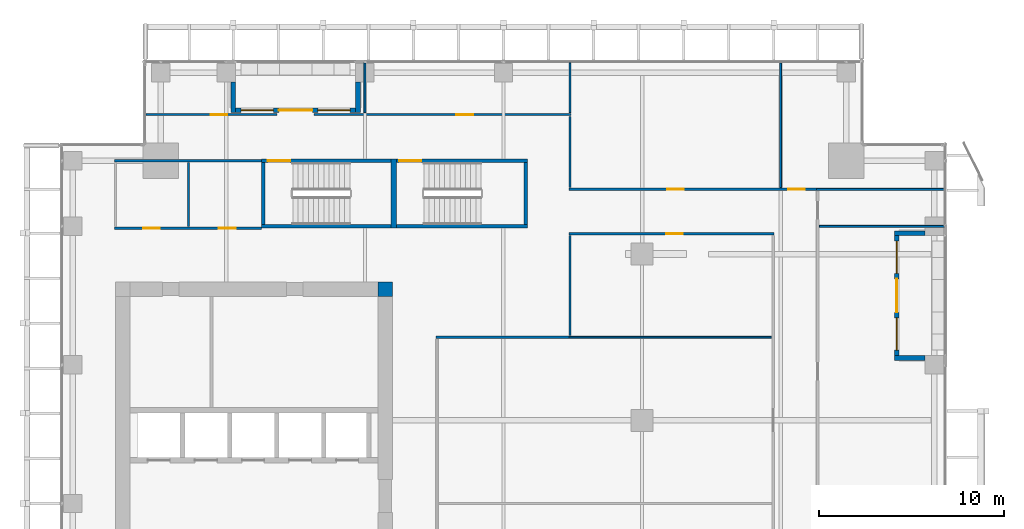
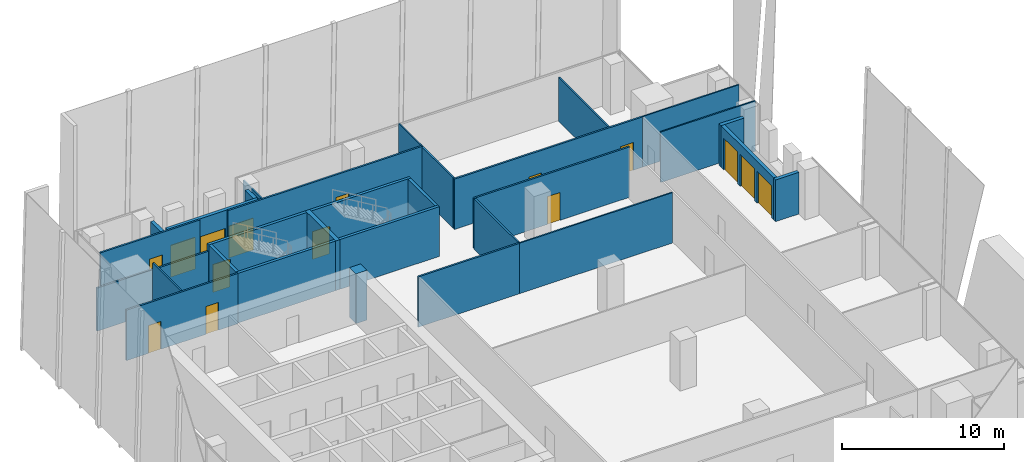
# One storey, part 30 of 35: 30 walls, 11 doors, 4 windows, 15 openings.
"""IFC4 building model written with IfcOpenShell, lengths in metres."""

from ifc_helpers import new_model, si_unit, direction, frame, frame_2d, origin, place, context, subcontext, project, spatial, rectangle, extrude, source, transform, mapped, material, layer, layer_set, type_object, element, fill, save


model = new_model("IFC4")

# Units and contexts
model_context = context("Model", 3, precision=1e-05, world=origin(), true_north=direction((0.0, 1.0)))
body_context = subcontext(model_context, "Body", "Model", "MODEL_VIEW")
ifc_project = project(units=[si_unit("LENGTHUNIT", "METRE"), si_unit("AREAUNIT", "SQUARE_METRE"), si_unit("VOLUMEUNIT", "CUBIC_METRE"), si_unit("PLANEANGLEUNIT", "RADIAN"), si_unit("MASSUNIT", "GRAM", prefix="KILO")], contexts=[model_context])

# Site, building, storey
site_placement = place(None, origin())
site = spatial("IfcSite", under=ifc_project, at=site_placement, CompositionType="ELEMENT")
building_placement = place(site_placement, origin())
building = spatial("IfcBuilding", under=site, at=building_placement, Name="Khomas Fold Tower", CompositionType="ELEMENT")
storey_placement = place(building_placement, frame((0.0, 0.0, 188.699951171875)))
storey = spatial("IfcBuildingStorey", under=building, at=storey_placement, Name="L41", CompositionType="ELEMENT", Elevation=188.699951171875)

# Wall
ifc_material_1 = material(Name="Concrete C60/75", Category="concrete")
ifc_layer_1 = layer(ifc_material_1, 0.800048828125)
ifc_layer_set_1 = layer_set([ifc_layer_1], Name="Concrete C60/75")
wall_type_1 = type_object("IfcWallType", Name="Core corner wall 800", PredefinedType="SHEAR", material=ifc_layer_set_1)
shared_shape_1 = source(origin(), body_context, "Body", "SweptSolid", [
    extrude(rectangle(XDim=0.800048828125, YDim=0.800048828125, at=frame_2d((0.39990234375, 0.0))), origin(), (0.0, 0.0, 1.0), 3.75),
])
wall_1_placement = place(storey_placement, frame((20.199951171875, 38.60009765625, 0.0), z_axis=(0.0, 0.0, 1.0), x_axis=(1.0, 0.0, 0.0)))
element("IfcWall", 1, at=wall_1_placement, inside=storey, type_object=wall_type_1, Name="Core wall CW-U-NE-L35", PredefinedType="SHEAR", context=body_context, shape_type="MappedRepresentation", body=[
    mapped(shared_shape_1, transform((0.0, 0.0, 0.0))),
])

# Wall, opening, door
ifc_material_2 = material(Name="Concrete C50/60", Category="concrete")
ifc_layer_2 = layer(ifc_material_2, 0.199951171875)
ifc_layer_set_2 = layer_set([ifc_layer_2], Name="Concrete C50/60")
wall_type_2 = type_object("IfcWallType", Name="Stair wall 200", PredefinedType="SHEAR", material=ifc_layer_set_2)
shared_shape_2 = source(origin(), body_context, "Body", "SweptSolid", [
    extrude(rectangle(XDim=7.0, YDim=0.199951171875, at=frame_2d((3.5, 0.0))), origin(), (0.0, 0.0, 1.0), 3.75),
])
wall_2_placement = place(storey_placement, frame((13.89990234375, 45.550048828125, 0.0), z_axis=(0.0, 0.0, 1.0), x_axis=(1.0, 0.0, 0.0)))
wall_2 = element("IfcWall", 2, at=wall_2_placement, inside=storey, type_object=wall_type_2, Name="Stair wall SW-ST1-N", PredefinedType="SHEAR", context=body_context, shape_type="MappedRepresentation", body=[
    mapped(shared_shape_2, transform((0.0, 0.0, 0.0))),
])
shared_shape_3 = source(origin(), body_context, "Body", "SweptSolid", [
    extrude(rectangle(XDim=1.199951171875, YDim=2.10009765625, at=frame_2d((0.60009765625, 1.050048828125))), frame((0.0, 0.10986328125, 0.0), z_axis=(0.0, -1.0, 0.0), x_axis=(1.0, 0.0, 0.0)), (0.0, 0.0, 1.0), 0.219970703125),
])
opening_1_placement = place(wall_2_placement, frame((0.35009765625, 0.0, 0.0)))
opening_1 = element("IfcOpeningElement", 3, at=opening_1_placement, cuts=wall_2, Name="Opening SD-ST1", PredefinedType="OPENING", context=body_context, shape_type="MappedRepresentation", body=[
    mapped(shared_shape_3, transform((0.0, 0.0, 0.0))),
])
ifc_material_3 = material(Name="Steel door leaf", Category="steel")
door_type_1 = type_object("IfcDoorType", Name="Stair door 1200x2100 left-hand", OperationType="SINGLE_SWING_LEFT", PredefinedType="DOOR", material=ifc_material_3)
shared_shape_4 = source(origin(), body_context, "Body", "SweptSolid", [
    extrude(rectangle(XDim=1.199951171875, YDim=2.10009765625, at=frame_2d((0.60009765625, 1.050048828125))), frame((0.0, 0.02490234375, 0.0), z_axis=(0.0, -1.0, 0.0), x_axis=(1.0, 0.0, 0.0)), (0.0, 0.0, 1.0), 0.050048828125),
])
door_1_placement = place(opening_1_placement, origin())
door_1 = element("IfcDoor", 4, at=door_1_placement, inside=storey, type_object=door_type_1, Name="Stair door", OperationType="SINGLE_SWING_LEFT", OverallHeight=2.10009765625, OverallWidth=1.199951171875, PredefinedType="DOOR", context=body_context, shape_type="MappedRepresentation", body=[
    mapped(shared_shape_4, transform((0.0, 0.0, 0.0))),
])
fill(opening_1, door_1)

# Wall
wall_3_placement = place(storey_placement, frame((13.89990234375, 42.0, 0.0), z_axis=(0.0, 0.0, 1.0), x_axis=(1.0, 0.0, 0.0)))
element("IfcWall", 5, at=wall_3_placement, inside=storey, type_object=wall_type_2, Name="Stair wall SW-ST1-S", PredefinedType="SHEAR", context=body_context, shape_type="MappedRepresentation", body=[
    mapped(shared_shape_2, transform((0.0, 0.0, 0.0))),
])

# Wall, opening, door
shared_shape_5 = source(origin(), body_context, "Body", "SweptSolid", [
    extrude(rectangle(XDim=7.10009765625, YDim=0.199951171875, at=frame_2d((3.550048828125, 0.0))), origin(), (0.0, 0.0, 1.0), 3.75),
])
wall_4_placement = place(storey_placement, frame((21.199951171875, 45.550048828125, 0.0), z_axis=(0.0, 0.0, 1.0), x_axis=(1.0, 0.0, 0.0)))
wall_4 = element("IfcWall", 6, at=wall_4_placement, inside=storey, type_object=wall_type_2, Name="Stair wall SW-ST3-N", PredefinedType="SHEAR", context=body_context, shape_type="MappedRepresentation", body=[
    mapped(shared_shape_5, transform((0.0, 0.0, 0.0))),
])
opening_2_placement = place(wall_4_placement, frame((0.14990234375, 0.0, 0.0)))
opening_2 = element("IfcOpeningElement", 7, at=opening_2_placement, cuts=wall_4, Name="Opening SD-ST3", PredefinedType="OPENING", context=body_context, shape_type="MappedRepresentation", body=[
    mapped(shared_shape_3, transform((0.0, 0.0, 0.0))),
])
door_2_placement = place(opening_2_placement, origin())
door_2 = element("IfcDoor", 8, at=door_2_placement, inside=storey, type_object=door_type_1, Name="Stair door", OperationType="SINGLE_SWING_LEFT", OverallHeight=2.10009765625, OverallWidth=1.199951171875, PredefinedType="DOOR", context=body_context, shape_type="MappedRepresentation", body=[
    mapped(shared_shape_4, transform((0.0, 0.0, 0.0))),
])
fill(opening_2, door_2)

# Walls
wall_5_placement = place(storey_placement, frame((21.199951171875, 42.0, 0.0), z_axis=(0.0, 0.0, 1.0), x_axis=(1.0, 0.0, 0.0)))
element("IfcWall", 9, at=wall_5_placement, inside=storey, type_object=wall_type_2, Name="Stair wall SW-ST3-S", PredefinedType="SHEAR", context=body_context, shape_type="MappedRepresentation", body=[
    mapped(shared_shape_5, transform((0.0, 0.0, 0.0))),
])
ifc_material_4 = material(Name="Concrete C50/60", Category="concrete")
ifc_layer_3 = layer(ifc_material_4, 0.300048828125)
ifc_layer_set_3 = layer_set([ifc_layer_3], Name="Concrete C50/60")
wall_type_3 = type_object("IfcWallType", Name="Stair wall 300", PredefinedType="SHEAR", material=ifc_layer_set_3)
shared_shape_6 = source(origin(), body_context, "Body", "SweptSolid", [
    extrude(rectangle(XDim=3.75, YDim=0.300048828125, at=frame_2d((1.875, 0.0))), origin(), (0.0, 0.0, 1.0), 3.75),
])
wall_6_placement = place(storey_placement, frame((21.050048828125, 41.89990234375, 0.0), z_axis=(0.0, 0.0, 1.0), x_axis=(0.0, 1.0, 0.0)))
element("IfcWall", 10, at=wall_6_placement, inside=storey, type_object=wall_type_3, Name="Stair wall SW-ST1-E", PredefinedType="SHEAR", context=body_context, shape_type="MappedRepresentation", body=[
    mapped(shared_shape_6, transform((0.0, 0.0, 0.0))),
])
shared_shape_7 = source(origin(), body_context, "Body", "SweptSolid", [
    extrude(rectangle(XDim=3.349853515625, YDim=0.199951171875, at=frame_2d((1.6748046875, 0.0))), origin(), (0.0, 0.0, 1.0), 3.75),
])
for number, where, z_axis, x_axis, name in (
    (11, (14.0, 42.10009765625, 0.0), (0.0, 0.0, 1.0), (0.0, 1.0, 0.0), "Stair wall SW-ST1-W"),
    (12, (28.199951171875, 42.10009765625, 0.0), (0.0, 0.0, 1.0), (0.0, 1.0, 0.0), "Stair wall SW-ST3-E"),
):
    element("IfcWall", number, at=place(storey_placement, frame(where, z_axis=z_axis, x_axis=x_axis)), inside=storey, type_object=wall_type_2, Name=name, PredefinedType="SHEAR", context=body_context, shape_type="MappedRepresentation", body=[
        mapped(shared_shape_7, transform((0.0, 0.0, 0.0))),
    ])

# Wall, openings, door, windows
ifc_material_5 = material(Name="Natural stone", Category="masonry")
ifc_layer_4 = layer(ifc_material_5, 0.0400390625)
ifc_material_6 = material(Name="Mineral wool insulation", Category="insulation")
ifc_layer_5 = layer(ifc_material_6, 0.10009765625)
ifc_material_7 = material(Name="Masonry", Category="masonry")
ifc_layer_6 = layer(ifc_material_7, 0.110107421875)
ifc_layer_set_4 = layer_set([ifc_layer_4, ifc_layer_5, ifc_layer_6], Name="Stone-faced insulated masonry")
wall_type_4 = type_object("IfcWallType", Name="BL-Balcony wall", PredefinedType="SOLIDWALL", material=ifc_layer_set_4)
shared_shape_8 = source(origin(), body_context, "Body", "SweptSolid", [
    extrude(rectangle(XDim=6.5, YDim=0.25, at=frame_2d((3.25, 0.0))), origin(), (0.0, 0.0, 1.0), 3.75),
])
wall_7_placement = place(storey_placement, frame((12.5, 48.27490234375, 0.0), z_axis=(0.0, 0.0, 1.0), x_axis=(1.0, 0.0, 0.0)))
wall_7 = element("IfcWall", 13, at=wall_7_placement, inside=storey, type_object=wall_type_4, Name="Balcony wall BAL-L41-N1", PredefinedType="SOLIDWALL", context=body_context, shape_type="MappedRepresentation", body=[
    mapped(shared_shape_8, transform((0.0, 0.0, 0.0))),
])
shared_shape_9 = source(origin(), body_context, "Body", "SweptSolid", [
    extrude(rectangle(XDim=1.75, YDim=2.39990234375, at=frame_2d((0.875, 1.199951171875))), frame((0.0, 0.135009765625, 0.0), z_axis=(0.0, -1.0, 0.0), x_axis=(1.0, 0.0, 0.0)), (0.0, 0.0, 1.0), 0.27001953125),
])
opening_3_placement = place(wall_7_placement, frame((0.300048828125, 0.0, 0.0)))
opening_3 = element("IfcOpeningElement", 14, at=opening_3_placement, cuts=wall_7, Name="Opening BL-W3", PredefinedType="OPENING", context=body_context, shape_type="MappedRepresentation", body=[
    mapped(shared_shape_9, transform((0.0, 0.0, 0.0))),
])
opening_4_placement = place(wall_7_placement, frame((4.449951171875, 0.0, 0.0)))
opening_4 = element("IfcOpeningElement", 15, at=opening_4_placement, cuts=wall_7, Name="Opening BL-W3", PredefinedType="OPENING", context=body_context, shape_type="MappedRepresentation", body=[
    mapped(shared_shape_9, transform((0.0, 0.0, 0.0))),
])
shared_shape_10 = source(origin(), body_context, "Body", "SweptSolid", [
    extrude(rectangle(XDim=1.800048828125, YDim=2.39990234375, at=frame_2d((0.89990234375, 1.199951171875))), frame((0.0, 0.135009765625, 0.0), z_axis=(0.0, -1.0, 0.0), x_axis=(1.0, 0.0, 0.0)), (0.0, 0.0, 1.0), 0.27001953125),
])
opening_5_placement = place(wall_7_placement, frame((2.35009765625, 0.0, 0.0)))
opening_5 = element("IfcOpeningElement", 16, at=opening_5_placement, cuts=wall_7, Name="Opening BD412", PredefinedType="OPENING", context=body_context, shape_type="MappedRepresentation", body=[
    mapped(shared_shape_10, transform((0.0, 0.0, 0.0))),
])
ifc_material_8 = material(Name="Aluminium framed double glazing", Category="aluminium")
door_type_2 = type_object("IfcDoorType", Name="BL-Glazed balcony door 1800 x 2400", OperationType="DOUBLE_DOOR_DOUBLE_SWING", PredefinedType="DOOR", material=ifc_material_8)
shared_shape_11 = source(origin(), body_context, "Body", "SweptSolid", [
    extrude(rectangle(XDim=1.800048828125, YDim=2.39990234375, at=frame_2d((0.89990234375, 1.199951171875))), frame((0.0, 0.02490234375, 0.0), z_axis=(0.0, -1.0, 0.0), x_axis=(1.0, 0.0, 0.0)), (0.0, 0.0, 1.0), 0.050048828125),
])
door_3_placement = place(opening_5_placement, origin())
door_3 = element("IfcDoor", 17, at=door_3_placement, inside=storey, type_object=door_type_2, Name="Balcony door BD412", OperationType="DOUBLE_DOOR_DOUBLE_SWING", OverallHeight=2.39990234375, OverallWidth=1.800048828125, PredefinedType="DOOR", context=body_context, shape_type="MappedRepresentation", body=[
    mapped(shared_shape_11, transform((0.0, 0.0, 0.0))),
])
fill(opening_5, door_3)
ifc_material_9 = material(Name="Aluminium framed double glazing", Category="aluminium")
window_type = type_object("IfcWindowType", Name="BL-Fixed glazing 1750 x 2400", PartitioningType="SINGLE_PANEL", PredefinedType="WINDOW", material=ifc_material_9)
shared_shape_12 = source(origin(), body_context, "Body", "SweptSolid", [
    extrude(rectangle(XDim=1.75, YDim=2.39990234375, at=frame_2d((0.875, 1.199951171875))), frame((0.0, 0.030029296875, 0.0), z_axis=(0.0, -1.0, 0.0), x_axis=(1.0, 0.0, 0.0)), (0.0, 0.0, 1.0), 0.06005859375),
])
window_1_placement = place(opening_3_placement, origin())
window_1 = element("IfcWindow", 18, at=window_1_placement, inside=storey, type_object=window_type, Name="Balcony glazing BAL-L41-N1-1", OverallHeight=2.39990234375, OverallWidth=1.75, PartitioningType="SINGLE_PANEL", PredefinedType="WINDOW", context=body_context, shape_type="MappedRepresentation", body=[
    mapped(shared_shape_12, transform((0.0, 0.0, 0.0))),
])
fill(opening_3, window_1)
window_2_placement = place(opening_4_placement, origin())
window_2 = element("IfcWindow", 19, at=window_2_placement, inside=storey, type_object=window_type, Name="Balcony glazing BAL-L41-N1-2", OverallHeight=2.39990234375, OverallWidth=1.75, PartitioningType="SINGLE_PANEL", PredefinedType="WINDOW", context=body_context, shape_type="MappedRepresentation", body=[
    mapped(shared_shape_12, transform((0.0, 0.0, 0.0))),
])
fill(opening_4, window_2)

# Walls
shared_shape_13 = source(origin(), body_context, "Body", "SweptSolid", [
    extrude(rectangle(XDim=1.650146484375, YDim=0.25, at=frame_2d((0.8251953125, 0.0))), origin(), (0.0, 0.0, 1.0), 3.449951171875),
])
for number, where, z_axis, x_axis, name in (
    (20, (12.375, 49.800048828125, 0.0), (0.0, 0.0, 1.0), (0.0, -1.0, 0.0), "Balcony return wall BAL-L41-N1-lo"),
    (21, (19.125, 49.800048828125, 0.0), (0.0, 0.0, 1.0), (0.0, -1.0, 0.0), "Balcony return wall BAL-L41-N1-hi"),
):
    element("IfcWall", number, at=place(storey_placement, frame(where, z_axis=z_axis, x_axis=x_axis)), inside=storey, type_object=wall_type_4, Name=name, PredefinedType="SOLIDWALL", context=body_context, shape_type="MappedRepresentation", body=[
        mapped(shared_shape_13, transform((0.0, 0.0, 0.0))),
    ])

# Wall, openings, door, windows
shared_shape_14 = source(origin(), body_context, "Body", "SweptSolid", [
    extrude(rectangle(XDim=6.5, YDim=0.25, at=frame_2d((3.25, 0.0))), origin(), (0.0, 0.0, 1.0), 3.150146484375),
])
wall_8_placement = place(storey_placement, frame((48.27490234375, 35.0, 0.0), z_axis=(0.0, 0.0, 1.0), x_axis=(0.0, 1.0, 0.0)))
wall_8 = element("IfcWall", 22, at=wall_8_placement, inside=storey, type_object=wall_type_4, Name="Balcony wall BAL-L41-E4", PredefinedType="SOLIDWALL", context=body_context, shape_type="MappedRepresentation", body=[
    mapped(shared_shape_14, transform((0.0, 0.0, 0.0))),
])
opening_6_placement = place(wall_8_placement, frame((0.300048828125, 0.0, 0.0)))
opening_6 = element("IfcOpeningElement", 23, at=opening_6_placement, cuts=wall_8, Name="Opening BL-W3", PredefinedType="OPENING", context=body_context, shape_type="MappedRepresentation", body=[
    mapped(shared_shape_9, transform((0.0, 0.0, 0.0))),
])
opening_7_placement = place(wall_8_placement, frame((4.449951171875, 0.0, 0.0)))
opening_7 = element("IfcOpeningElement", 24, at=opening_7_placement, cuts=wall_8, Name="Opening BL-W3", PredefinedType="OPENING", context=body_context, shape_type="MappedRepresentation", body=[
    mapped(shared_shape_9, transform((0.0, 0.0, 0.0))),
])
opening_8_placement = place(wall_8_placement, frame((2.35009765625, 0.0, 0.0)))
opening_8 = element("IfcOpeningElement", 25, at=opening_8_placement, cuts=wall_8, Name="Opening BD411", PredefinedType="OPENING", context=body_context, shape_type="MappedRepresentation", body=[
    mapped(shared_shape_10, transform((0.0, 0.0, 0.0))),
])
door_4_placement = place(opening_8_placement, origin())
door_4 = element("IfcDoor", 26, at=door_4_placement, inside=storey, type_object=door_type_2, Name="Balcony door BD411", OperationType="DOUBLE_DOOR_DOUBLE_SWING", OverallHeight=2.39990234375, OverallWidth=1.800048828125, PredefinedType="DOOR", context=body_context, shape_type="MappedRepresentation", body=[
    mapped(shared_shape_11, transform((0.0, 0.0, 0.0))),
])
fill(opening_8, door_4)
window_3_placement = place(opening_6_placement, origin())
window_3 = element("IfcWindow", 27, at=window_3_placement, inside=storey, type_object=window_type, Name="Balcony glazing BAL-L41-E4-1", OverallHeight=2.39990234375, OverallWidth=1.75, PartitioningType="SINGLE_PANEL", PredefinedType="WINDOW", context=body_context, shape_type="MappedRepresentation", body=[
    mapped(shared_shape_12, transform((0.0, 0.0, 0.0))),
])
fill(opening_6, window_3)
window_4_placement = place(opening_7_placement, origin())
window_4 = element("IfcWindow", 28, at=window_4_placement, inside=storey, type_object=window_type, Name="Balcony glazing BAL-L41-E4-2", OverallHeight=2.39990234375, OverallWidth=1.75, PartitioningType="SINGLE_PANEL", PredefinedType="WINDOW", context=body_context, shape_type="MappedRepresentation", body=[
    mapped(shared_shape_12, transform((0.0, 0.0, 0.0))),
])
fill(opening_7, window_4)

# Walls
shared_shape_15 = source(origin(), body_context, "Body", "SweptSolid", [
    extrude(rectangle(XDim=1.650146484375, YDim=0.25, at=frame_2d((0.8251953125, 0.0))), origin(), (0.0, 0.0, 1.0), 3.150146484375),
])
for number, where, z_axis, x_axis, name in (
    (29, (49.800048828125, 34.875, 0.0), (0.0, 0.0, 1.0), (-1.0, 0.0, 0.0), "Balcony return wall BAL-L41-E4-lo"),
    (30, (49.800048828125, 41.625, 0.0), (0.0, 0.0, 1.0), (-1.0, 0.0, 0.0), "Balcony return wall BAL-L41-E4-hi"),
):
    element("IfcWall", number, at=place(storey_placement, frame(where, z_axis=z_axis, x_axis=x_axis)), inside=storey, type_object=wall_type_4, Name=name, PredefinedType="SOLIDWALL", context=body_context, shape_type="MappedRepresentation", body=[
        mapped(shared_shape_15, transform((0.0, 0.0, 0.0))),
    ])
ifc_material_10 = material(Name="Plasterboard partition")
ifc_layer_7 = layer(ifc_material_10, 0.125)
ifc_layer_set_5 = layer_set([ifc_layer_7], Name="Plasterboard partition")
wall_type_5 = type_object("IfcWallType", Name="Partition PW2 125", PredefinedType="PARTITIONING", material=ifc_layer_set_5)
shared_shape_16 = source(origin(), body_context, "Body", "SweptSolid", [
    extrude(rectangle(XDim=7.949951171875, YDim=0.125, at=frame_2d((3.97509765625, 0.0))), origin(), (0.0, 0.0, 1.0), 3.25),
])
wall_9_placement = place(storey_placement, frame((5.949951171875, 45.550048828125, 0.0), z_axis=(0.0, 0.0, 1.0), x_axis=(1.0, 0.0, 0.0)))
element("IfcWall", 31, at=wall_9_placement, inside=storey, type_object=wall_type_5, Name="Partition", PredefinedType="PARTITIONING", context=body_context, shape_type="MappedRepresentation", body=[
    mapped(shared_shape_16, transform((0.0, 0.0, 0.0))),
])

# Wall, openings, doors
shared_shape_17 = source(origin(), body_context, "Body", "SweptSolid", [
    extrude(rectangle(XDim=7.949951171875, YDim=0.125, at=frame_2d((3.97509765625, 0.0))), origin(), (0.0, 0.0, 1.0), 3.800048828125),
])
wall_10_placement = place(storey_placement, frame((5.949951171875, 41.89990234375, 0.0), z_axis=(0.0, 0.0, 1.0), x_axis=(1.0, 0.0, 0.0)))
wall_10 = element("IfcWall", 32, at=wall_10_placement, inside=storey, type_object=wall_type_5, Name="Partition", PredefinedType="PARTITIONING", context=body_context, shape_type="MappedRepresentation", body=[
    mapped(shared_shape_17, transform((0.0, 0.0, 0.0))),
])
shared_shape_18 = source(origin(), body_context, "Body", "SweptSolid", [
    extrude(rectangle(XDim=0.89990234375, YDim=2.10009765625, at=frame_2d((0.449951171875, 1.050048828125))), frame((0.0, 0.072509765625, 0.0), z_axis=(0.0, -1.0, 0.0), x_axis=(1.0, 0.0, 0.0)), (0.0, 0.0, 1.0), 0.14501953125),
])
opening_9_placement = place(wall_10_placement, frame((1.550048828125, 0.0, 0.0)))
opening_9 = element("IfcOpeningElement", 33, at=opening_9_placement, cuts=wall_10, Name="Opening 0004", PredefinedType="OPENING", context=body_context, shape_type="MappedRepresentation", body=[
    mapped(shared_shape_18, transform((0.0, 0.0, 0.0))),
])
opening_10_placement = place(wall_10_placement, frame((5.64990234375, 0.0, 0.0)))
opening_10 = element("IfcOpeningElement", 34, at=opening_10_placement, cuts=wall_10, Name="Opening 0005", PredefinedType="OPENING", context=body_context, shape_type="MappedRepresentation", body=[
    mapped(shared_shape_18, transform((0.0, 0.0, 0.0))),
])
ifc_material_11 = material(Name="Timber door leaf", Category="wood")
door_type_3 = type_object("IfcDoorType", Name="WC door 900x2100 right-hand", OperationType="SINGLE_SWING_RIGHT", PredefinedType="DOOR", material=ifc_material_11)
shared_shape_19 = source(origin(), body_context, "Body", "SweptSolid", [
    extrude(rectangle(XDim=0.89990234375, YDim=2.10009765625, at=frame_2d((0.449951171875, 1.050048828125))), frame((0.0, 0.02490234375, 0.0), z_axis=(0.0, -1.0, 0.0), x_axis=(1.0, 0.0, 0.0)), (0.0, 0.0, 1.0), 0.050048828125),
])
door_5_placement = place(opening_9_placement, origin())
door_5 = element("IfcDoor", 35, at=door_5_placement, inside=storey, type_object=door_type_3, Name="WC door", OperationType="SINGLE_SWING_RIGHT", OverallHeight=2.10009765625, OverallWidth=0.89990234375, PredefinedType="DOOR", context=body_context, shape_type="MappedRepresentation", body=[
    mapped(shared_shape_19, transform((0.0, 0.0, 0.0))),
])
fill(opening_9, door_5)
ifc_material_12 = material(Name="Timber door leaf", Category="wood")
door_type_4 = type_object("IfcDoorType", Name="WC door 900x2100 left-hand", OperationType="SINGLE_SWING_LEFT", PredefinedType="DOOR", material=ifc_material_12)
door_6_placement = place(opening_10_placement, origin())
door_6 = element("IfcDoor", 36, at=door_6_placement, inside=storey, type_object=door_type_4, Name="WC door", OperationType="SINGLE_SWING_LEFT", OverallHeight=2.10009765625, OverallWidth=0.89990234375, PredefinedType="DOOR", context=body_context, shape_type="MappedRepresentation", body=[
    mapped(shared_shape_19, transform((0.0, 0.0, 0.0))),
])
fill(opening_10, door_6)

# Walls
ifc_material_13 = material(Name="Plasterboard partition")
ifc_layer_8 = layer(ifc_material_13, 0.10009765625)
ifc_layer_set_6 = layer_set([ifc_layer_8], Name="Plasterboard partition")
wall_type_6 = type_object("IfcWallType", Name="Partition PW1 100", PredefinedType="PARTITIONING", material=ifc_layer_set_6)
shared_shape_20 = source(origin(), body_context, "Body", "SweptSolid", [
    extrude(rectangle(XDim=3.449951171875, YDim=0.10009765625, at=frame_2d((1.72509765625, 0.0))), origin(), (0.0, 0.0, 1.0), 3.800048828125),
])
wall_11_placement = place(storey_placement, frame((9.949951171875, 42.0, 0.0), z_axis=(0.0, 0.0, 1.0), x_axis=(0.0, 1.0, 0.0)))
element("IfcWall", 37, at=wall_11_placement, inside=storey, type_object=wall_type_6, Name="Partition", PredefinedType="PARTITIONING", context=body_context, shape_type="MappedRepresentation", body=[
    mapped(shared_shape_20, transform((0.0, 0.0, 0.0))),
])
shared_shape_21 = source(origin(), body_context, "Body", "SweptSolid", [
    extrude(rectangle(XDim=2.7001953125, YDim=0.10009765625, at=frame_2d((1.35009765625, 0.0))), origin(), (0.0, 0.0, 1.0), 3.420166015625),
])
wall_12_placement = place(storey_placement, frame((19.5, 48.14990234375, 0.0), z_axis=(0.0, 0.0, 1.0), x_axis=(0.0, 1.0, 0.0)))
element("IfcWall", 38, at=wall_12_placement, inside=storey, type_object=wall_type_6, Name="Partition", PredefinedType="PARTITIONING", context=body_context, shape_type="MappedRepresentation", body=[
    mapped(shared_shape_21, transform((0.0, 0.0, 0.0))),
])
shared_shape_22 = source(origin(), body_context, "Body", "SweptSolid", [
    extrude(rectangle(XDim=6.75, YDim=0.10009765625, at=frame_2d((3.375, 0.0))), origin(), (0.0, 0.0, 1.0), 3.800048828125),
])
wall_13_placement = place(storey_placement, frame((44.10009765625, 42.0, 0.0), z_axis=(0.0, 0.0, 1.0), x_axis=(1.0, 0.0, 0.0)))
element("IfcWall", 39, at=wall_13_placement, inside=storey, type_object=wall_type_6, Name="Partition", PredefinedType="PARTITIONING", context=body_context, shape_type="MappedRepresentation", body=[
    mapped(shared_shape_22, transform((0.0, 0.0, 0.0))),
])
shared_shape_23 = source(origin(), body_context, "Body", "SweptSolid", [
    extrude(rectangle(XDim=2.7001953125, YDim=0.10009765625, at=frame_2d((1.35009765625, 0.0))), origin(), (0.0, 0.0, 1.0), 3.800048828125),
])
wall_14_placement = place(storey_placement, frame((30.60009765625, 48.14990234375, 0.0), z_axis=(0.0, 0.0, 1.0), x_axis=(0.0, 1.0, 0.0)))
element("IfcWall", 40, at=wall_14_placement, inside=storey, type_object=wall_type_6, Name="Partition", PredefinedType="PARTITIONING", context=body_context, shape_type="MappedRepresentation", body=[
    mapped(shared_shape_23, transform((0.0, 0.0, 0.0))),
])

# Wall, opening, door
shared_shape_24 = source(origin(), body_context, "Body", "SweptSolid", [
    extrude(rectangle(XDim=7.10009765625, YDim=0.125, at=frame_2d((3.550048828125, 0.0))), origin(), (0.0, 0.0, 1.0), 3.800048828125),
])
wall_15_placement = place(storey_placement, frame((7.64990234375, 48.050048828125, 0.0), z_axis=(0.0, 0.0, 1.0), x_axis=(1.0, 0.0, 0.0)))
wall_15 = element("IfcWall", 41, at=wall_15_placement, inside=storey, type_object=wall_type_5, Name="Partition", PredefinedType="PARTITIONING", context=body_context, shape_type="MappedRepresentation", body=[
    mapped(shared_shape_24, transform((0.0, 0.0, 0.0))),
])
opening_11_placement = place(wall_15_placement, frame((3.5, 0.0, 0.0)))
opening_11 = element("IfcOpeningElement", 42, at=opening_11_placement, cuts=wall_15, Name="Opening 0008", PredefinedType="OPENING", context=body_context, shape_type="MappedRepresentation", body=[
    mapped(shared_shape_18, transform((0.0, 0.0, 0.0))),
])
ifc_material_14 = material(Name="Timber door leaf", Category="wood")
door_type_5 = type_object("IfcDoorType", Name="Door 900x2100 right-hand", OperationType="SINGLE_SWING_RIGHT", PredefinedType="DOOR", material=ifc_material_14)
door_7_placement = place(opening_11_placement, origin())
door_7 = element("IfcDoor", 43, at=door_7_placement, inside=storey, type_object=door_type_5, Name="Door", OperationType="SINGLE_SWING_RIGHT", OverallHeight=2.10009765625, OverallWidth=0.89990234375, PredefinedType="DOOR", context=body_context, shape_type="MappedRepresentation", body=[
    mapped(shared_shape_19, transform((0.0, 0.0, 0.0))),
])
fill(opening_11, door_7)

shared_shape_25 = source(origin(), body_context, "Body", "SweptSolid", [
    extrude(rectangle(XDim=13.89990234375, YDim=0.125, at=frame_2d((6.949951171875, 0.0))), origin(), (0.0, 0.0, 1.0), 3.800048828125),
])
wall_16_placement = place(storey_placement, frame((16.75, 48.050048828125, 0.0), z_axis=(0.0, 0.0, 1.0), x_axis=(1.0, 0.0, 0.0)))
wall_16 = element("IfcWall", 44, at=wall_16_placement, inside=storey, type_object=wall_type_5, Name="Partition", PredefinedType="PARTITIONING", context=body_context, shape_type="MappedRepresentation", body=[
    mapped(shared_shape_25, transform((0.0, 0.0, 0.0))),
])
opening_12_placement = place(wall_16_placement, frame((7.699951171875, 0.0, 0.0)))
opening_12 = element("IfcOpeningElement", 45, at=opening_12_placement, cuts=wall_16, Name="Opening 0008", PredefinedType="OPENING", context=body_context, shape_type="MappedRepresentation", body=[
    mapped(shared_shape_18, transform((0.0, 0.0, 0.0))),
])
door_8_placement = place(opening_12_placement, origin())
door_8 = element("IfcDoor", 46, at=door_8_placement, inside=storey, type_object=door_type_5, Name="Door", OperationType="SINGLE_SWING_RIGHT", OverallHeight=2.10009765625, OverallWidth=0.89990234375, PredefinedType="DOOR", context=body_context, shape_type="MappedRepresentation", body=[
    mapped(shared_shape_19, transform((0.0, 0.0, 0.0))),
])
fill(opening_12, door_8)

# Walls
shared_shape_26 = source(origin(), body_context, "Body", "SweptSolid", [
    extrude(rectangle(XDim=6.75, YDim=0.10009765625, at=frame_2d((3.375, 0.0))), origin(), (0.0, 0.0, 1.0), 3.300048828125),
])
wall_17_placement = place(storey_placement, frame((42.0, 44.10009765625, 0.0), z_axis=(0.0, 0.0, 1.0), x_axis=(0.0, 1.0, 0.0)))
element("IfcWall", 47, at=wall_17_placement, inside=storey, type_object=wall_type_6, Name="Partition", PredefinedType="PARTITIONING", context=body_context, shape_type="MappedRepresentation", body=[
    mapped(shared_shape_26, transform((0.0, 0.0, 0.0))),
])
shared_shape_27 = source(origin(), body_context, "Body", "SweptSolid", [
    extrude(rectangle(XDim=6.900146484375, YDim=0.10009765625, at=frame_2d((3.4501953125, 0.0))), origin(), (0.0, 0.0, 1.0), 3.800048828125),
])
wall_18_placement = place(storey_placement, frame((43.949951171875, 44.0, 0.0), z_axis=(0.0, 0.0, 1.0), x_axis=(1.0, 0.0, 0.0)))
element("IfcWall", 48, at=wall_18_placement, inside=storey, type_object=wall_type_6, Name="Partition", PredefinedType="PARTITIONING", context=body_context, shape_type="MappedRepresentation", body=[
    mapped(shared_shape_27, transform((0.0, 0.0, 0.0))),
])
shared_shape_28 = source(origin(), body_context, "Body", "SweptSolid", [
    extrude(rectangle(XDim=7.199951171875, YDim=0.125, at=frame_2d((3.60009765625, 0.0))), origin(), (0.0, 0.0, 1.0), 3.800048828125),
])
wall_19_placement = place(storey_placement, frame((23.35009765625, 36.0, 0.0), z_axis=(0.0, 0.0, 1.0), x_axis=(1.0, 0.0, 0.0)))
element("IfcWall", 49, at=wall_19_placement, inside=storey, type_object=wall_type_5, Name="Partition", PredefinedType="PARTITIONING", context=body_context, shape_type="MappedRepresentation", body=[
    mapped(shared_shape_28, transform((0.0, 0.0, 0.0))),
])
shared_shape_29 = source(origin(), body_context, "Body", "SweptSolid", [
    extrude(rectangle(XDim=10.949951171875, YDim=0.10009765625, at=frame_2d((5.47509765625, 0.0))), origin(), (0.0, 0.0, 1.0), 3.800048828125),
])
wall_20_placement = place(storey_placement, frame((30.550048828125, 36.0, 0.0), z_axis=(0.0, 0.0, 1.0), x_axis=(1.0, 0.0, 0.0)))
element("IfcWall", 50, at=wall_20_placement, inside=storey, type_object=wall_type_6, Name="Partition", PredefinedType="PARTITIONING", context=body_context, shape_type="MappedRepresentation", body=[
    mapped(shared_shape_29, transform((0.0, 0.0, 0.0))),
])
shared_shape_30 = source(origin(), body_context, "Body", "SweptSolid", [
    extrude(rectangle(XDim=5.39990234375, YDim=0.125, at=frame_2d((2.699951171875, 0.0))), origin(), (0.0, 0.0, 1.0), 3.800048828125),
])
wall_21_placement = place(storey_placement, frame((30.60009765625, 36.10009765625, 0.0), z_axis=(0.0, 0.0, 1.0), x_axis=(0.0, 1.0, 0.0)))
element("IfcWall", 51, at=wall_21_placement, inside=storey, type_object=wall_type_5, Name="Partition", PredefinedType="PARTITIONING", context=body_context, shape_type="MappedRepresentation", body=[
    mapped(shared_shape_30, transform((0.0, 0.0, 0.0))),
])

# Wall, opening, door
shared_shape_31 = source(origin(), body_context, "Body", "SweptSolid", [
    extrude(rectangle(XDim=11.099853515625, YDim=0.125, at=frame_2d((5.5498046875, 0.0))), origin(), (0.0, 0.0, 1.0), 3.800048828125),
])
wall_22_placement = place(storey_placement, frame((30.550048828125, 41.60009765625, 0.0), z_axis=(0.0, 0.0, 1.0), x_axis=(1.0, 0.0, 0.0)))
wall_22 = element("IfcWall", 52, at=wall_22_placement, inside=storey, type_object=wall_type_5, Name="Partition", PredefinedType="PARTITIONING", context=body_context, shape_type="MappedRepresentation", body=[
    mapped(shared_shape_31, transform((0.0, 0.0, 0.0))),
])
opening_13_placement = place(wall_22_placement, frame((5.25, 0.0, 0.0)))
opening_13 = element("IfcOpeningElement", 53, at=opening_13_placement, cuts=wall_22, Name="Opening 0008", PredefinedType="OPENING", context=body_context, shape_type="MappedRepresentation", body=[
    mapped(shared_shape_18, transform((0.0, 0.0, 0.0))),
])
door_9_placement = place(opening_13_placement, origin())
door_9 = element("IfcDoor", 54, at=door_9_placement, inside=storey, type_object=door_type_5, Name="Door", OperationType="SINGLE_SWING_RIGHT", OverallHeight=2.10009765625, OverallWidth=0.89990234375, PredefinedType="DOOR", context=body_context, shape_type="MappedRepresentation", body=[
    mapped(shared_shape_19, transform((0.0, 0.0, 0.0))),
])
fill(opening_13, door_9)

# Wall, openings, doors
shared_shape_32 = source(origin(), body_context, "Body", "SweptSolid", [
    extrude(rectangle(XDim=13.39990234375, YDim=0.125, at=frame_2d((6.699951171875, 0.0))), origin(), (0.0, 0.0, 1.0), 3.800048828125),
])
wall_23_placement = place(storey_placement, frame((30.550048828125, 44.0, 0.0), z_axis=(0.0, 0.0, 1.0), x_axis=(1.0, 0.0, 0.0)))
wall_23 = element("IfcWall", 55, at=wall_23_placement, inside=storey, type_object=wall_type_5, Name="Partition", PredefinedType="PARTITIONING", context=body_context, shape_type="MappedRepresentation", body=[
    mapped(shared_shape_32, transform((0.0, 0.0, 0.0))),
])
opening_14_placement = place(wall_23_placement, frame((5.300048828125, 0.0, 0.0)))
opening_14 = element("IfcOpeningElement", 56, at=opening_14_placement, cuts=wall_23, Name="Opening 0007", PredefinedType="OPENING", context=body_context, shape_type="MappedRepresentation", body=[
    mapped(shared_shape_18, transform((0.0, 0.0, 0.0))),
])
opening_15_placement = place(wall_23_placement, frame((11.85009765625, 0.0, 0.0)))
opening_15 = element("IfcOpeningElement", 57, at=opening_15_placement, cuts=wall_23, Name="Opening 0008", PredefinedType="OPENING", context=body_context, shape_type="MappedRepresentation", body=[
    mapped(shared_shape_18, transform((0.0, 0.0, 0.0))),
])
ifc_material_15 = material(Name="Timber door leaf", Category="wood")
door_type_6 = type_object("IfcDoorType", Name="Door 900x2100 left-hand", OperationType="SINGLE_SWING_LEFT", PredefinedType="DOOR", material=ifc_material_15)
door_10_placement = place(opening_14_placement, origin())
door_10 = element("IfcDoor", 58, at=door_10_placement, inside=storey, type_object=door_type_6, Name="Door", OperationType="SINGLE_SWING_LEFT", OverallHeight=2.10009765625, OverallWidth=0.89990234375, PredefinedType="DOOR", context=body_context, shape_type="MappedRepresentation", body=[
    mapped(shared_shape_19, transform((0.0, 0.0, 0.0))),
])
fill(opening_14, door_10)
door_11_placement = place(opening_15_placement, origin())
door_11 = element("IfcDoor", 59, at=door_11_placement, inside=storey, type_object=door_type_5, Name="Door", OperationType="SINGLE_SWING_RIGHT", OverallHeight=2.10009765625, OverallWidth=0.89990234375, PredefinedType="DOOR", context=body_context, shape_type="MappedRepresentation", body=[
    mapped(shared_shape_19, transform((0.0, 0.0, 0.0))),
])
fill(opening_15, door_11)

# Wall
shared_shape_33 = source(origin(), body_context, "Body", "SweptSolid", [
    extrude(rectangle(XDim=3.849853515625, YDim=0.125, at=frame_2d((1.9248046875, 0.0))), origin(), (0.0, 0.0, 1.0), 3.800048828125),
])
wall_24_placement = place(storey_placement, frame((30.60009765625, 44.10009765625, 0.0), z_axis=(0.0, 0.0, 1.0), x_axis=(0.0, 1.0, 0.0)))
element("IfcWall", 60, at=wall_24_placement, inside=storey, type_object=wall_type_5, Name="Partition", PredefinedType="PARTITIONING", context=body_context, shape_type="MappedRepresentation", body=[
    mapped(shared_shape_33, transform((0.0, 0.0, 0.0))),
])

save(model, "model.ifc")
